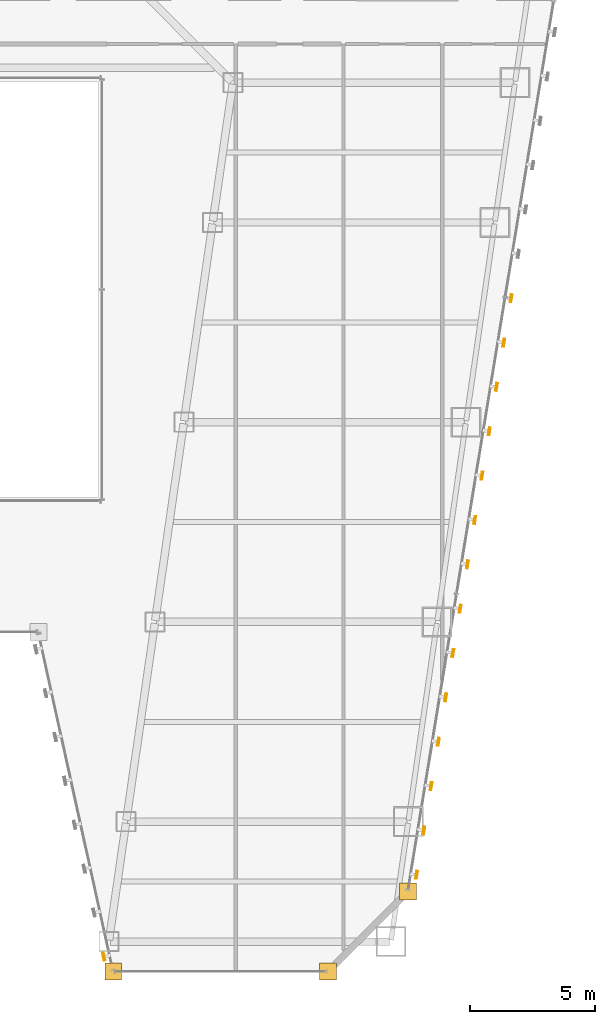
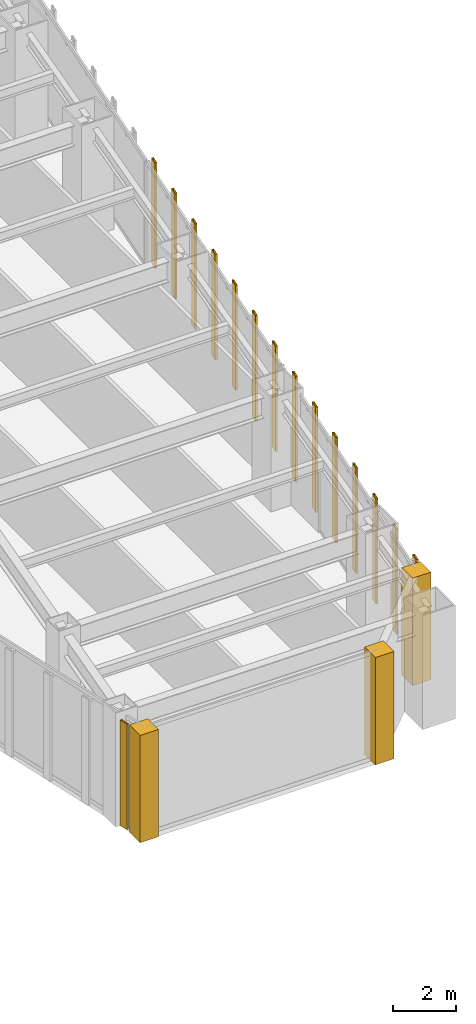
# One storey, part 44 of 47: 15 shading devices, 3 coverings.
"""IFC4 building model written with IfcOpenShell, lengths in metres."""

from ifc_helpers import new_model, si_unit, direction, frame, origin, origin_2d, place, context, subcontext, project, spatial, polyline, hollow_rectangle, outline, extrude, material, layer, layer_set, material_profile, profile_set, type_object, element, save


model = new_model("IFC4")

# Units and contexts
model_context = context("Model", 3, precision=1e-05, world=origin(), true_north=direction((0.0, 1.0)))
body_context = subcontext(model_context, "Body", "Model", "MODEL_VIEW")
ifc_project = project(units=[si_unit("LENGTHUNIT", "METRE"), si_unit("AREAUNIT", "SQUARE_METRE"), si_unit("VOLUMEUNIT", "CUBIC_METRE"), si_unit("PLANEANGLEUNIT", "RADIAN"), si_unit("MASSUNIT", "GRAM", prefix="KILO")], contexts=[model_context])

# Site, building, storey
site_placement = place(None, origin())
site = spatial("IfcSite", under=ifc_project, at=site_placement, CompositionType="ELEMENT")
building_placement = place(site_placement, origin())
building = spatial("IfcBuilding", under=site, at=building_placement, Name="Saevonmaru Cultural Tower", CompositionType="ELEMENT")
storey_placement = place(building_placement, frame((0.0, 0.0, 92.800048828125)))
storey = spatial("IfcBuildingStorey", under=building, at=storey_placement, Name="L19", CompositionType="ELEMENT", Elevation=92.800048828125)

# Coverings
ifc_material = material(Name="Satin Bronze Anodised Aluminium", Category="aluminium")
ifc_layer = layer(ifc_material, 0.679931640625, Name="Satin Bronze Anodised Aluminium")
ifc_layer_set = layer_set([ifc_layer], Name="Satin Bronze Anodised Aluminium")
covering_type = type_object("IfcCoveringType", Name="CV-CORNER-CLAD", PredefinedType="CLADDING", material=ifc_layer_set)
covering_1_placement = place(storey_placement, origin())
element("IfcCovering", 1, at=covering_1_placement, inside=storey, type_object=covering_type, Name="L19 Tower Bronze Corner Cladding Pier 6", PredefinedType="CLADDING", context=body_context, shape_type="SweptSolid", body=[
    extrude(outline(polyline([(36.06005859375, 1.659912109375), (36.739990234375, 1.659912109375), (36.739990234375, 2.340087890625), (36.06005859375, 2.340087890625), (36.06005859375, 1.659912109375)])), origin(), (0.0, 0.0, 1.0), 4.14990234375),
])
covering_2_placement = place(storey_placement, origin())
element("IfcCovering", 2, at=covering_2_placement, inside=storey, type_object=covering_type, Name="L19 Tower Bronze Corner Cladding Pier 7", PredefinedType="CLADDING", context=body_context, shape_type="SweptSolid", body=[
    extrude(outline(polyline([(44.659912109375, 1.659912109375), (45.340087890625, 1.659912109375), (45.340087890625, 2.340087890625), (44.659912109375, 2.340087890625), (44.659912109375, 1.659912109375)])), origin(), (0.0, 0.0, 1.0), 4.14990234375),
])
covering_3_placement = place(storey_placement, origin())
element("IfcCovering", 3, at=covering_3_placement, inside=storey, type_object=covering_type, Name="L19 Tower Bronze Corner Cladding Pier 8", PredefinedType="CLADDING", context=body_context, shape_type="SweptSolid", body=[
    extrude(outline(polyline([(47.860107421875, 4.860107421875), (48.5400390625, 4.860107421875), (48.5400390625, 5.5400390625), (47.860107421875, 5.5400390625), (47.860107421875, 4.860107421875)])), origin(), (0.0, 0.0, 1.0), 4.14990234375),
])

# Shading devices
ifc_material_profile = material_profile(ifc_material, hollow_rectangle(XDim=0.070068359375, YDim=0.320068359375, WallThickness=0.0048828125, at=origin_2d()), Name="FIN-320x70")
ifc_profile_set = profile_set([ifc_material_profile], Name="Satin Bronze Anodised Aluminium")
shading_device_type = type_object("IfcShadingDeviceType", Name="SHD-FIN-320", PredefinedType="JALOUSIE", material=ifc_profile_set)
for number, where, z_axis, x_axis, name in (
    (4, (36.022705078125, 2.59619140625, 0.050048828125), (0.0, 0.0, 1.0), (-0.976522126798, -0.215417120661, 0.0), "L19 Art Deco Sawtooth Bronze Fin E5-08"),
    (5, (48.552978515625, 5.869140625, 0.050048828125), (0.0, 0.0, 1.0), (0.986827496189, -0.161776057456, 0.0), "L19 Art Deco Sawtooth Bronze Fin E8-01"),
    (6, (48.843994140625, 7.6455078125, 0.050048828125), (0.0, 0.0, 1.0), (0.986827496189, -0.161776057456, 0.0), "L19 Art Deco Sawtooth Bronze Fin E8-02"),
    (7, (49.135009765625, 9.421875, 0.050048828125), (0.0, 0.0, 1.0), (0.986827496189, -0.161776057456, 0.0), "L19 Art Deco Sawtooth Bronze Fin E8-03"),
    (8, (49.426025390625, 11.197998046875, 0.050048828125), (0.0, 0.0, 1.0), (0.986827496189, -0.161776057456, 0.0), "L19 Art Deco Sawtooth Bronze Fin E8-04"),
    (9, (49.71728515625, 12.974365234375, 0.050048828125), (0.0, 0.0, 1.0), (0.986827496189, -0.161776057456, 0.0), "L19 Art Deco Sawtooth Bronze Fin E8-05"),
    (10, (50.00830078125, 14.750732421875, 0.050048828125), (0.0, 0.0, 1.0), (0.986827496189, -0.161776057456, 0.0), "L19 Art Deco Sawtooth Bronze Fin E8-06"),
    (11, (50.29931640625, 16.527099609375, 0.050048828125), (0.0, 0.0, 1.0), (0.986827496189, -0.161776057456, 0.0), "L19 Art Deco Sawtooth Bronze Fin E8-07"),
    (12, (50.59033203125, 18.30322265625, 0.050048828125), (0.0, 0.0, 1.0), (0.986827496189, -0.161776057456, 0.0), "L19 Art Deco Sawtooth Bronze Fin E8-08"),
    (13, (50.881591796875, 20.07958984375, 0.050048828125), (0.0, 0.0, 1.0), (0.986827496189, -0.161776057456, 0.0), "L19 Art Deco Sawtooth Bronze Fin E8-09"),
    (14, (51.172607421875, 21.85595703125, 0.050048828125), (0.0, 0.0, 1.0), (0.986827496189, -0.161776057456, 0.0), "L19 Art Deco Sawtooth Bronze Fin E8-10"),
    (15, (51.463623046875, 23.63232421875, 0.050048828125), (0.0, 0.0, 1.0), (0.986827496189, -0.161776057456, 0.0), "L19 Art Deco Sawtooth Bronze Fin E8-11"),
    (16, (51.754638671875, 25.40869140625, 0.050048828125), (0.0, 0.0, 1.0), (0.986827496189, -0.161776057456, 0.0), "L19 Art Deco Sawtooth Bronze Fin E8-12"),
    (17, (52.0458984375, 27.184814453125, 0.050048828125), (0.0, 0.0, 1.0), (0.986827496189, -0.161776057456, 0.0), "L19 Art Deco Sawtooth Bronze Fin E8-13"),
    (18, (52.3369140625, 28.961181640625, 0.050048828125), (0.0, 0.0, 1.0), (0.986827496189, -0.161776057456, 0.0), "L19 Art Deco Sawtooth Bronze Fin E8-14"),
):
    element("IfcShadingDevice", number, at=place(storey_placement, frame(where, z_axis=z_axis, x_axis=x_axis)), inside=storey, type_object=shading_device_type, Name=name, PredefinedType="JALOUSIE", context=body_context, shape_type="SweptSolid", body=[
        extrude(hollow_rectangle(XDim=0.070068359375, YDim=0.320068359375, WallThickness=0.0048828125, at=origin_2d()), origin(), (0.0, 0.0, 1.0), 4.079833984375),
    ])

save(model, "model.ifc")
